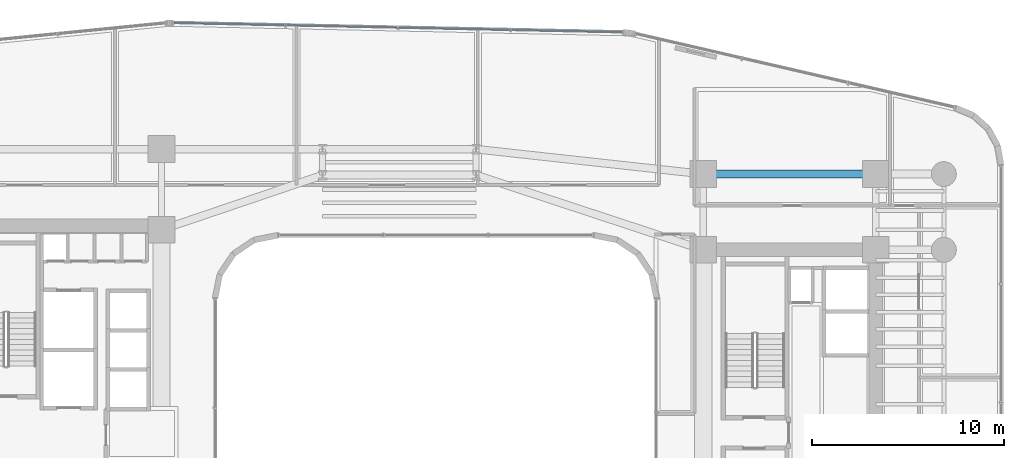
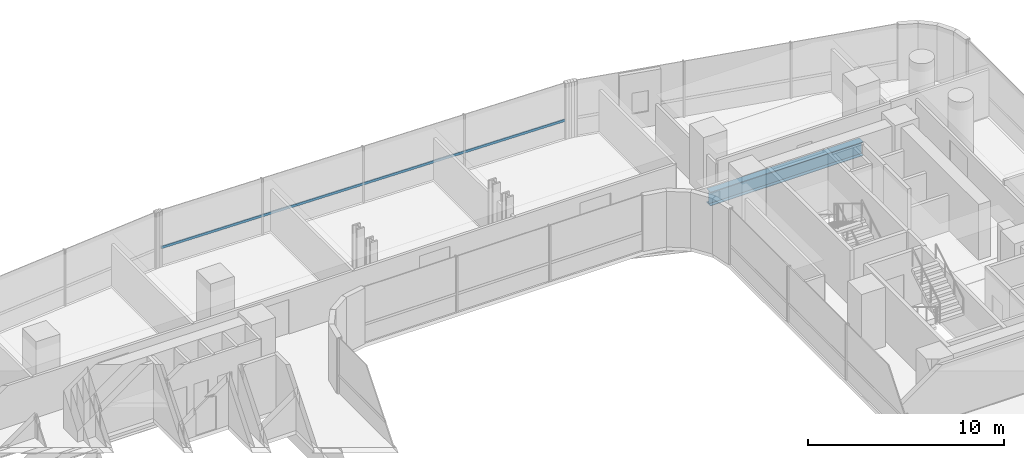
# One storey, part 22 of 39: 1 beam, 1 member, 1 element without a shape of its own.
"""IFC4 building model written with IfcOpenShell, lengths in metres."""

from ifc_helpers import new_model, si_unit, direction, frame, origin, origin_2d, place, context, subcontext, project, spatial, hollow_rectangle, i_section, extrude, source, transform, mapped, material, material_profile, profile_set, type_object, element, aggregate, save


model = new_model("IFC4")

# Units and contexts
model_context = context("Model", 3, precision=1e-05, world=origin(), true_north=direction((0.0, 1.0)))
body_context = subcontext(model_context, "Body", "Model", "MODEL_VIEW")
ifc_project = project(units=[si_unit("LENGTHUNIT", "METRE"), si_unit("AREAUNIT", "SQUARE_METRE"), si_unit("VOLUMEUNIT", "CUBIC_METRE"), si_unit("PLANEANGLEUNIT", "RADIAN"), si_unit("MASSUNIT", "GRAM", prefix="KILO")], contexts=[model_context])

# Site, building, storey
site_placement = place(None, origin())
site = spatial("IfcSite", under=ifc_project, at=site_placement, CompositionType="ELEMENT")
building_placement = place(site_placement, origin())
building = spatial("IfcBuilding", under=site, at=building_placement, Name="Valdorenza Pilgrim Sanctuary Tower", CompositionType="ELEMENT")
storey_placement = place(building_placement, frame((0.0, 0.0, 77.800048828125)))
storey = spatial("IfcBuildingStorey", under=building, at=storey_placement, Name="L19", CompositionType="ELEMENT", Elevation=77.800048828125)

# Beam
ifc_material_1 = material(Name="Steel ASTM A992 Grade 50", Category="steel")
ifc_material_profile_1 = material_profile(ifc_material_1, i_section(OverallWidth=0.39990234375, OverallDepth=0.862060546875, WebThickness=0.019775390625, FlangeThickness=0.032470703125, at=origin_2d()), Name="W33X221")
ifc_profile_set_1 = profile_set([ifc_material_profile_1], Name="Steel ASTM A992 Grade 50")
beam_type = type_object("IfcBeamType", Name="STR-BM-GRD-W33", PredefinedType="BEAM", material=ifc_profile_set_1)
shared_shape_1 = source(origin(), body_context, "Body", "SweptSolid", [
    extrude(i_section(OverallWidth=0.39990234375, OverallDepth=0.862060546875, WebThickness=0.019775390625, FlangeThickness=0.032470703125, at=origin_2d()), origin(), (0.0, 0.0, 1.0), 9.0),
])
beam_placement = place(storey_placement, frame((15.85009765625, 13.5, -0.671142578125), z_axis=(1.0, 0.0, 0.0), x_axis=(0.0, 1.0, 0.0)))
element("IfcBeam", 1, at=beam_placement, inside=storey, type_object=beam_type, Name="L19 Floor Girder CB-XC-N2", PredefinedType="BEAM", context=body_context, shape_type="MappedRepresentation", body=[
    mapped(shared_shape_1, transform((0.0, 0.0, 0.0), x_axis=(1.0, 0.0, 0.0), y_axis=(0.0, 1.0, 0.0), z_axis=(0.0, 0.0, 1.0), scale=1.0)),
])

# Curtain wall, member
ifc_material_2 = material(Name="Curtain-wall IGU glazing", Category="glass")
curtain_wall_type = type_object("IfcCurtainWallType", Name="CW-SYS-02", PredefinedType="NOTDEFINED", material=ifc_material_2)
curtain_wall_placement = place(storey_placement, origin())
curtain_wall = element("IfcCurtainWall", 2, at=curtain_wall_placement, inside=storey, type_object=curtain_wall_type, Name="L19 Curtain Wall CW-L19-1-11", PredefinedType="NOTDEFINED")
ifc_material_3 = material(Name="Anodised aluminium AW-6060", Category="aluminium")
ifc_material_profile_2 = material_profile(ifc_material_3, hollow_rectangle(XDim=0.074951171875, YDim=0.14990234375, WallThickness=0.00390625, at=origin_2d()), Name="ALU-T 150x75x4")
ifc_profile_set_2 = profile_set([ifc_material_profile_2], Name="Anodised aluminium AW-6060")
member_type = type_object("IfcMemberType", Name="CW-TRN-02", PredefinedType="USERDEFINED", material=ifc_profile_set_2)
shared_shape_2 = source(origin(), body_context, "Body", "SweptSolid", [
    extrude(hollow_rectangle(XDim=0.074951171875, YDim=0.14990234375, WallThickness=0.00390625, at=origin_2d()), origin(), (0.0, 0.0, 1.0), 23.479248046875),
])
member_placement = place(storey_placement, frame((-11.808349609375, 21.385986328125, 1.119873046875), z_axis=(0.999783083794, -0.020827514476, 0.0), x_axis=(0.020827514476, 0.999783083794, 0.0)))
member = element("IfcMember", 3, at=member_placement, type_object=member_type, Name="CW-L19-1-11 Transom 1", ObjectType="TRANSOM", PredefinedType="USERDEFINED", context=body_context, shape_type="MappedRepresentation", body=[
    mapped(shared_shape_2, transform((0.0, 0.0, 0.0), x_axis=(1.0, 0.0, 0.0), y_axis=(0.0, 1.0, 0.0), z_axis=(0.0, 0.0, 1.0), scale=1.0)),
])
aggregate(curtain_wall, [member])

save(model, "model.ifc")
